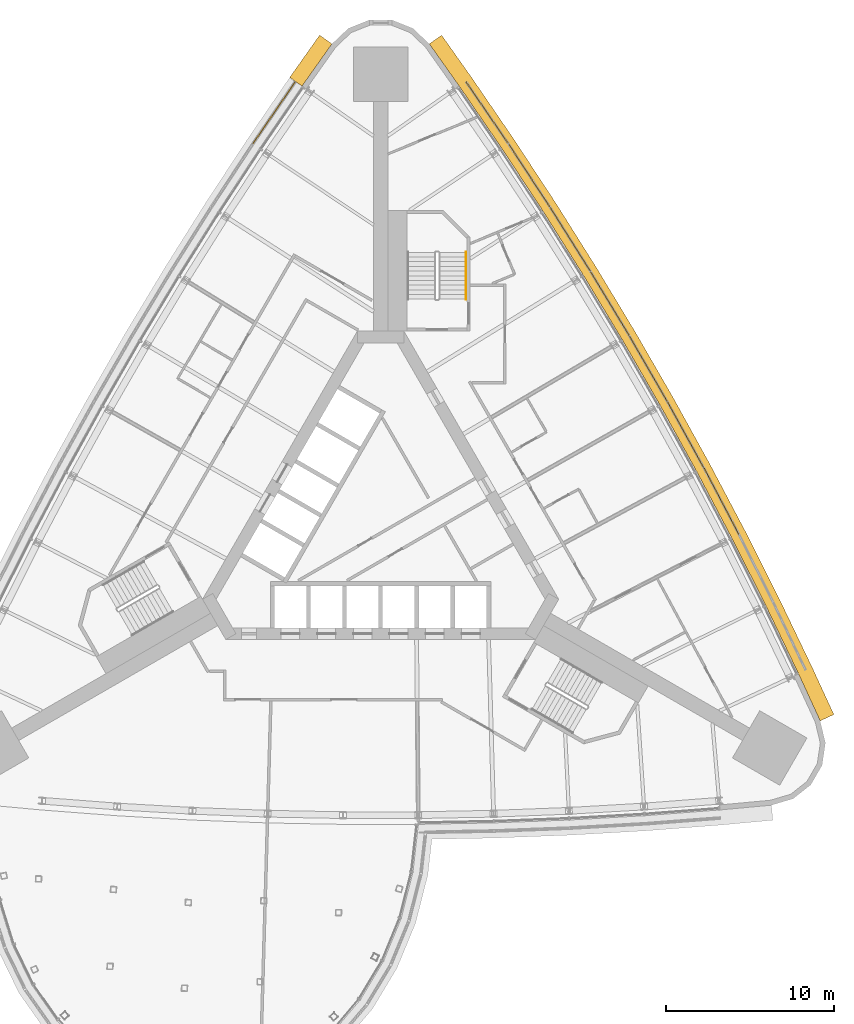
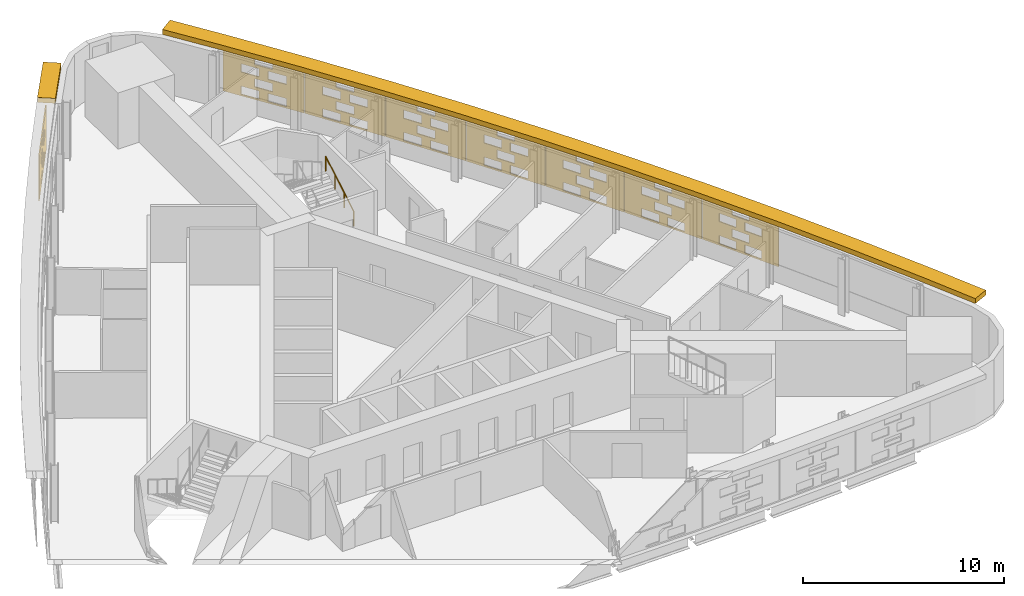
# One storey, part 15 of 15: 10 shading devices, 1 railing.
"""IFC4 building model written with IfcOpenShell, lengths in metres."""

from ifc_helpers import new_model, si_unit, direction, frame, origin, origin_2d, place, context, subcontext, project, spatial, polyline, circle, outline, extrude, material, material_profile, profile_set, type_object, element, save


model = new_model("IFC4")

# Units and contexts
model_context = context("Model", 3, precision=1e-05, world=origin(), true_north=direction((0.0, 1.0)))
body_context = subcontext(model_context, "Body", "Model", "MODEL_VIEW")
ifc_project = project(units=[si_unit("LENGTHUNIT", "METRE"), si_unit("AREAUNIT", "SQUARE_METRE"), si_unit("VOLUMEUNIT", "CUBIC_METRE"), si_unit("PLANEANGLEUNIT", "RADIAN"), si_unit("MASSUNIT", "GRAM", prefix="KILO")], contexts=[model_context])

# Site, building, storey
site_placement = place(None, origin())
site = spatial("IfcSite", under=ifc_project, at=site_placement, CompositionType="ELEMENT")
building_placement = place(site_placement, origin())
building = spatial("IfcBuilding", under=site, at=building_placement, Name="Noor Cloister Tower", CompositionType="ELEMENT")
storey_placement = place(building_placement, frame((0.0, 0.0, 58.199951171875)))
storey = spatial("IfcBuildingStorey", under=building, at=storey_placement, Name="L14", CompositionType="ELEMENT", Elevation=58.199951171875)

# Shading devices
ifc_material_1 = material(Name="Limestone", Category="masonry")
ifc_material_profile = material_profile(ifc_material_1, outline(polyline([(-2.22998046875, -1.35009765625), (2.22998046875, -1.35009765625), (2.22998046875, 1.35009765625), (-2.22998046875, 1.35009765625), (-2.22998046875, -1.35009765625)]), holes=[polyline([(-1.25, -1.263427734375), (-0.25, -1.263427734375), (-0.25, -0.76171875), (-1.25, -0.76171875), (-1.25, -1.263427734375)]), polyline([(0.25, -1.263427734375), (1.25, -1.263427734375), (1.25, -0.76171875), (0.25, -0.76171875), (0.25, -1.263427734375)]), polyline([(-0.5, -0.58837890625), (0.5, -0.58837890625), (0.5, -0.086669921875), (-0.5, -0.086669921875), (-0.5, -0.58837890625)]), polyline([(-1.25, 0.086669921875), (-0.25, 0.086669921875), (-0.25, 0.58837890625), (-1.25, 0.58837890625), (-1.25, 0.086669921875)]), polyline([(0.25, 0.086669921875), (1.25, 0.086669921875), (1.25, 0.58837890625), (0.25, 0.58837890625), (0.25, 0.086669921875)]), polyline([(-0.5, 0.76171875), (0.5, 0.76171875), (0.5, 1.263427734375), (-0.5, 1.263427734375), (-0.5, 0.76171875)])]), Name="Woven screen 25 percent open")
ifc_profile_set = profile_set([ifc_material_profile], Name="Limestone")
shading_device_type_1 = type_object("IfcShadingDeviceType", Name="SCREEN woven limestone 25 percent open", PredefinedType="USERDEFINED", material=ifc_profile_set)
for number, where, z_axis, x_axis, name in (
    (1, (-6.325439453125, 24.455078125, 1.85009765625), (-0.825107815773, 0.564975302426, 0.0), (-0.564975302426, -0.825107815773, 0.0), "SCREEN L14 1"),
    (2, (20.287841796875, 1.30419921875, 1.85009765625), (0.886149575817, 0.463399319464, 0.0), (-0.463399319464, 0.886149575817, 0.0), "SCREEN L14 3"),
):
    element("IfcShadingDevice", number, at=place(storey_placement, frame(where, z_axis=z_axis, x_axis=x_axis)), inside=storey, type_object=shading_device_type_1, Name=name, ObjectType="SCREEN", PredefinedType="USERDEFINED", context=body_context, shape_type="SweptSolid", body=[
        extrude(outline(polyline([(-2.22998046875, -1.35009765625), (2.22998046875, -1.35009765625), (2.22998046875, 1.35009765625), (-2.22998046875, 1.35009765625), (-2.22998046875, -1.35009765625)]), holes=[polyline([(-1.25, -1.263427734375), (-0.25, -1.263427734375), (-0.25, -0.76171875), (-1.25, -0.76171875), (-1.25, -1.263427734375)]), polyline([(0.25, -1.263427734375), (1.25, -1.263427734375), (1.25, -0.76171875), (0.25, -0.76171875), (0.25, -1.263427734375)]), polyline([(-0.5, -0.58837890625), (0.5, -0.58837890625), (0.5, -0.086669921875), (-0.5, -0.086669921875), (-0.5, -0.58837890625)]), polyline([(-1.25, 0.086669921875), (-0.25, 0.086669921875), (-0.25, 0.58837890625), (-1.25, 0.58837890625), (-1.25, 0.086669921875)]), polyline([(0.25, 0.086669921875), (1.25, 0.086669921875), (1.25, 0.58837890625), (0.25, 0.58837890625), (0.25, 0.086669921875)]), polyline([(-0.5, 0.76171875), (0.5, 0.76171875), (0.5, 1.263427734375), (-0.5, 1.263427734375), (-0.5, 0.76171875)])]), origin(), (0.0, 0.0, 1.0), 0.06005859375),
    ])
shading_device_1_placement = place(storey_placement, frame((18.146484375, 5.271484375, 1.85009765625), z_axis=(0.876645997325, 0.481135942718, 0.0), x_axis=(-0.481135942718, 0.876645997325, 0.0)))
element("IfcShadingDevice", 3, at=shading_device_1_placement, inside=storey, type_object=shading_device_type_1, Name="SCREEN L14 4", ObjectType="SCREEN", PredefinedType="USERDEFINED", context=body_context, shape_type="SweptSolid", body=[
    extrude(outline(polyline([(-2.22998046875, -1.35009765625), (2.22998046875, -1.35009765625), (2.22998046875, 1.35009765625), (-2.22998046875, 1.35009765625), (-2.22998046875, -1.35009765625)]), holes=[polyline([(-1.25, -1.263427734375), (-0.25, -1.263427734375), (-0.25, -0.76171875), (-1.25, -0.76171875), (-1.25, -1.263427734375)]), polyline([(0.25, -1.263427734375), (1.25, -1.263427734375), (1.25, -0.76171875), (0.25, -0.76171875), (0.25, -1.263427734375)]), polyline([(-0.5, -0.58837890625), (0.5, -0.58837890625), (0.5, -0.086669921875), (-0.5, -0.086669921875), (-0.5, -0.58837890625)]), polyline([(-1.25, 0.086669921875), (-0.25, 0.086669921875), (-0.25, 0.58837890625), (-1.25, 0.58837890625), (-1.25, 0.086669921875)]), polyline([(0.25, 0.086669921875), (1.25, 0.086669921875), (1.25, 0.58837890625), (0.25, 0.58837890625), (0.25, 0.086669921875)]), polyline([(-0.5, 0.76171875), (0.5, 0.76171875), (0.5, 1.263427734375), (-0.5, 1.263427734375), (-0.5, 0.76171875)])]), origin(), (0.0, 0.0, 1.0), 0.059814453125),
])
shading_device_2_placement = place(storey_placement, frame((15.9296875, 9.197021484375, 1.85009765625), z_axis=(0.865982457891, 0.500074377092, 0.0), x_axis=(-0.500074377092, 0.865982457891, 0.0)))
element("IfcShadingDevice", 4, at=shading_device_2_placement, inside=storey, type_object=shading_device_type_1, Name="SCREEN L14 5", ObjectType="SCREEN", PredefinedType="USERDEFINED", context=body_context, shape_type="SweptSolid", body=[
    extrude(outline(polyline([(-2.22998046875, -1.35009765625), (2.22998046875, -1.35009765625), (2.22998046875, 1.35009765625), (-2.22998046875, 1.35009765625), (-2.22998046875, -1.35009765625)]), holes=[polyline([(-1.25, -1.263427734375), (-0.25, -1.263427734375), (-0.25, -0.76171875), (-1.25, -0.76171875), (-1.25, -1.263427734375)]), polyline([(0.25, -1.263427734375), (1.25, -1.263427734375), (1.25, -0.76171875), (0.25, -0.76171875), (0.25, -1.263427734375)]), polyline([(-0.5, -0.58837890625), (0.5, -0.58837890625), (0.5, -0.086669921875), (-0.5, -0.086669921875), (-0.5, -0.58837890625)]), polyline([(-1.25, 0.086669921875), (-0.25, 0.086669921875), (-0.25, 0.58837890625), (-1.25, 0.58837890625), (-1.25, 0.086669921875)]), polyline([(0.25, 0.086669921875), (1.25, 0.086669921875), (1.25, 0.58837890625), (0.25, 0.58837890625), (0.25, 0.086669921875)]), polyline([(-0.5, 0.76171875), (0.5, 0.76171875), (0.5, 1.263427734375), (-0.5, 1.263427734375), (-0.5, 0.76171875)])]), origin(), (0.0, 0.0, 1.0), 0.06005859375),
])
shading_device_3_placement = place(storey_placement, frame((13.638427734375, 13.07958984375, 1.85009765625), z_axis=(0.855690023312, 0.517488728384, 0.0), x_axis=(-0.517488728384, 0.855690023312, 0.0)))
element("IfcShadingDevice", 5, at=shading_device_3_placement, inside=storey, type_object=shading_device_type_1, Name="SCREEN L14 6", ObjectType="SCREEN", PredefinedType="USERDEFINED", context=body_context, shape_type="SweptSolid", body=[
    extrude(outline(polyline([(-2.22998046875, -1.35009765625), (2.22998046875, -1.35009765625), (2.22998046875, 1.35009765625), (-2.22998046875, 1.35009765625), (-2.22998046875, -1.35009765625)]), holes=[polyline([(-1.25, -1.263427734375), (-0.25, -1.263427734375), (-0.25, -0.76171875), (-1.25, -0.76171875), (-1.25, -1.263427734375)]), polyline([(0.25, -1.263427734375), (1.25, -1.263427734375), (1.25, -0.76171875), (0.25, -0.76171875), (0.25, -1.263427734375)]), polyline([(-0.5, -0.58837890625), (0.5, -0.58837890625), (0.5, -0.086669921875), (-0.5, -0.086669921875), (-0.5, -0.58837890625)]), polyline([(-1.25, 0.086669921875), (-0.25, 0.086669921875), (-0.25, 0.58837890625), (-1.25, 0.58837890625), (-1.25, 0.086669921875)]), polyline([(0.25, 0.086669921875), (1.25, 0.086669921875), (1.25, 0.58837890625), (0.25, 0.58837890625), (0.25, 0.086669921875)]), polyline([(-0.5, 0.76171875), (0.5, 0.76171875), (0.5, 1.263427734375), (-0.5, 1.263427734375), (-0.5, 0.76171875)])]), origin(), (0.0, 0.0, 1.0), 0.059814453125),
])
shading_device_4_placement = place(storey_placement, frame((11.2734375, 16.917724609375, 1.85009765625), z_axis=(0.846164898331, 0.53292116193, 0.0), x_axis=(-0.53292116193, 0.846164898331, 0.0)))
element("IfcShadingDevice", 6, at=shading_device_4_placement, inside=storey, type_object=shading_device_type_1, Name="SCREEN L14 7", ObjectType="SCREEN", PredefinedType="USERDEFINED", context=body_context, shape_type="SweptSolid", body=[
    extrude(outline(polyline([(-2.22998046875, -1.35009765625), (2.22998046875, -1.35009765625), (2.22998046875, 1.35009765625), (-2.22998046875, 1.35009765625), (-2.22998046875, -1.35009765625)]), holes=[polyline([(-1.25, -1.263427734375), (-0.25, -1.263427734375), (-0.25, -0.76171875), (-1.25, -0.76171875), (-1.25, -1.263427734375)]), polyline([(0.25, -1.263427734375), (1.25, -1.263427734375), (1.25, -0.76171875), (0.25, -0.76171875), (0.25, -1.263427734375)]), polyline([(-0.5, -0.58837890625), (0.5, -0.58837890625), (0.5, -0.086669921875), (-0.5, -0.086669921875), (-0.5, -0.58837890625)]), polyline([(-1.25, 0.086669921875), (-0.25, 0.086669921875), (-0.25, 0.58837890625), (-1.25, 0.58837890625), (-1.25, 0.086669921875)]), polyline([(0.25, 0.086669921875), (1.25, 0.086669921875), (1.25, 0.58837890625), (0.25, 0.58837890625), (0.25, 0.086669921875)]), polyline([(-0.5, 0.76171875), (0.5, 0.76171875), (0.5, 1.263427734375), (-0.5, 1.263427734375), (-0.5, 0.76171875)])]), origin(), (0.0, 0.0, 1.0), 0.06005859375),
])
shading_device_5_placement = place(storey_placement, frame((8.83544921875, 20.710205078125, 1.85009765625), z_axis=(0.837041537521, 0.547139346477, 0.0), x_axis=(-0.547139346477, 0.837041537521, 0.0)))
element("IfcShadingDevice", 7, at=shading_device_5_placement, inside=storey, type_object=shading_device_type_1, Name="SCREEN L14 8", ObjectType="SCREEN", PredefinedType="USERDEFINED", context=body_context, shape_type="SweptSolid", body=[
    extrude(outline(polyline([(-2.22998046875, -1.35009765625), (2.22998046875, -1.35009765625), (2.22998046875, 1.35009765625), (-2.22998046875, 1.35009765625), (-2.22998046875, -1.35009765625)]), holes=[polyline([(-1.25, -1.263427734375), (-0.25, -1.263427734375), (-0.25, -0.76171875), (-1.25, -0.76171875), (-1.25, -1.263427734375)]), polyline([(0.25, -1.263427734375), (1.25, -1.263427734375), (1.25, -0.76171875), (0.25, -0.76171875), (0.25, -1.263427734375)]), polyline([(-0.5, -0.58837890625), (0.5, -0.58837890625), (0.5, -0.086669921875), (-0.5, -0.086669921875), (-0.5, -0.58837890625)]), polyline([(-1.25, 0.086669921875), (-0.25, 0.086669921875), (-0.25, 0.58837890625), (-1.25, 0.58837890625), (-1.25, 0.086669921875)]), polyline([(0.25, 0.086669921875), (1.25, 0.086669921875), (1.25, 0.58837890625), (0.25, 0.58837890625), (0.25, 0.086669921875)]), polyline([(-0.5, 0.76171875), (0.5, 0.76171875), (0.5, 1.263427734375), (-0.5, 1.263427734375), (-0.5, 0.76171875)])]), origin(), (0.0, 0.0, 1.0), 0.059814453125),
])
shading_device_6_placement = place(storey_placement, frame((6.325439453125, 24.455078125, 1.85009765625), z_axis=(0.825107815773, 0.564975302426, 0.0), x_axis=(-0.564975302426, 0.825107815773, 0.0)))
element("IfcShadingDevice", 8, at=shading_device_6_placement, inside=storey, type_object=shading_device_type_1, Name="SCREEN L14 9", ObjectType="SCREEN", PredefinedType="USERDEFINED", context=body_context, shape_type="SweptSolid", body=[
    extrude(outline(polyline([(-2.22998046875, -1.35009765625), (2.22998046875, -1.35009765625), (2.22998046875, 1.35009765625), (-2.22998046875, 1.35009765625), (-2.22998046875, -1.35009765625)]), holes=[polyline([(-1.25, -1.263427734375), (-0.25, -1.263427734375), (-0.25, -0.76171875), (-1.25, -0.76171875), (-1.25, -1.263427734375)]), polyline([(0.25, -1.263427734375), (1.25, -1.263427734375), (1.25, -0.76171875), (0.25, -0.76171875), (0.25, -1.263427734375)]), polyline([(-0.5, -0.58837890625), (0.5, -0.58837890625), (0.5, -0.086669921875), (-0.5, -0.086669921875), (-0.5, -0.58837890625)]), polyline([(-1.25, 0.086669921875), (-0.25, 0.086669921875), (-0.25, 0.58837890625), (-1.25, 0.58837890625), (-1.25, 0.086669921875)]), polyline([(0.25, 0.086669921875), (1.25, 0.086669921875), (1.25, 0.58837890625), (0.25, 0.58837890625), (0.25, 0.086669921875)]), polyline([(-0.5, 0.76171875), (0.5, 0.76171875), (0.5, 1.263427734375), (-0.5, 1.263427734375), (-0.5, 0.76171875)])]), origin(), (0.0, 0.0, 1.0), 0.06005859375),
])
ifc_material_2 = material(Name="Limestone", Category="masonry")
shading_device_type_2 = type_object("IfcShadingDeviceType", Name="SUNSHADE limestone band 900", PredefinedType="USERDEFINED", material=ifc_material_2)
shading_device_7_placement = place(storey_placement, frame((0.0, 0.0, 3.300048828125)))
element("IfcShadingDevice", 9, at=shading_device_7_placement, inside=storey, type_object=shading_device_type_2, Name="SUNSHADE L14 3", ObjectType="SUNSHADE", PredefinedType="USERDEFINED", context=body_context, shape_type="SweptSolid", body=[
    extrude(outline(polyline([(27.015869140625, -11.399658203125), (25.723388671875, -8.590087890625), (23.7705078125, -4.5185546875), (21.73974609375, -0.483642578125), (19.632080078125, 3.51171875), (17.44873046875, 7.466064453125), (15.190185546875, 11.3779296875), (12.857421875, 15.24609375), (10.450927734375, 19.06884765625), (7.97216796875, 22.84521484375), (5.42236328125, 26.572265625), (3.635498046875, 29.09619140625), (2.90087890625, 28.576171875), (4.683837890625, 26.05810546875), (7.224609375, 22.343994140625), (9.69384765625, 18.582275390625), (12.091064453125, 14.77392578125), (14.4150390625, 10.920654296875), (16.6650390625, 7.0234375), (18.840087890625, 3.084228515625), (20.939697265625, -0.89599609375), (22.962890625, -4.91552734375), (24.908935546875, -8.972900390625), (26.1982421875, -11.77587890625), (27.015869140625, -11.399658203125)])), origin(), (0.0, 0.0, 1.0), 0.300048828125),
])
shading_device_8_placement = place(storey_placement, frame((0.0, 0.0, 3.300048828125)))
element("IfcShadingDevice", 10, at=shading_device_8_placement, inside=storey, type_object=shading_device_type_2, Name="SUNSHADE L14 4", ObjectType="SUNSHADE", PredefinedType="USERDEFINED", context=body_context, shape_type="SweptSolid", body=[
    extrude(outline(polyline([(-3.635498046875, 29.09619140625), (-5.418212890625, 26.578125), (-4.683837890625, 26.05810546875), (-2.90087890625, 28.576171875), (-3.635498046875, 29.09619140625)])), origin(), (0.0, 0.0, 1.0), 0.300048828125),
])

# Railing
ifc_material_3 = material(Name="Stainless steel", Category="steel")
railing_type = type_object("IfcRailingType", Name="Stair handrail 900", PredefinedType="HANDRAIL", material=ifc_material_3)
railing_placement = place(storey_placement, frame((5.085693359375, 13.3564453125, 0.16357421875)))
element("IfcRailing", 11, at=railing_placement, inside=storey, type_object=railing_type, Name="Stair handrail ST1 L14 1", PredefinedType="HANDRAIL", context=body_context, shape_type="SweptSolid", body=[
    extrude(circle(Radius=0.02392578125, at=origin_2d()), frame((0.0, 0.0, 0.8759765625), z_axis=(0.0, 0.863360870873, 0.504586966384), x_axis=(-1.0, 0.0, 0.0)), (0.0, 0.0, 1.0), 3.2431640625),
    extrude(circle(Radius=0.02099609375, at=origin_2d()), origin(), (0.0, 0.0, 1.0), 0.851806640625),
    extrude(circle(Radius=0.02099609375, at=origin_2d()), frame((0.0, 0.933349609375, 0.54541015625)), (0.0, 0.0, 1.0), 0.851806640625),
    extrude(circle(Radius=0.02099609375, at=origin_2d()), frame((0.0, 1.86669921875, 1.091064453125)), (0.0, 0.0, 1.0), 0.851806640625),
    extrude(circle(Radius=0.02099609375, at=origin_2d()), frame((0.0, 2.800048828125, 1.636474609375)), (0.0, 0.0, 1.0), 0.851806640625),
])

save(model, "model.ifc")
